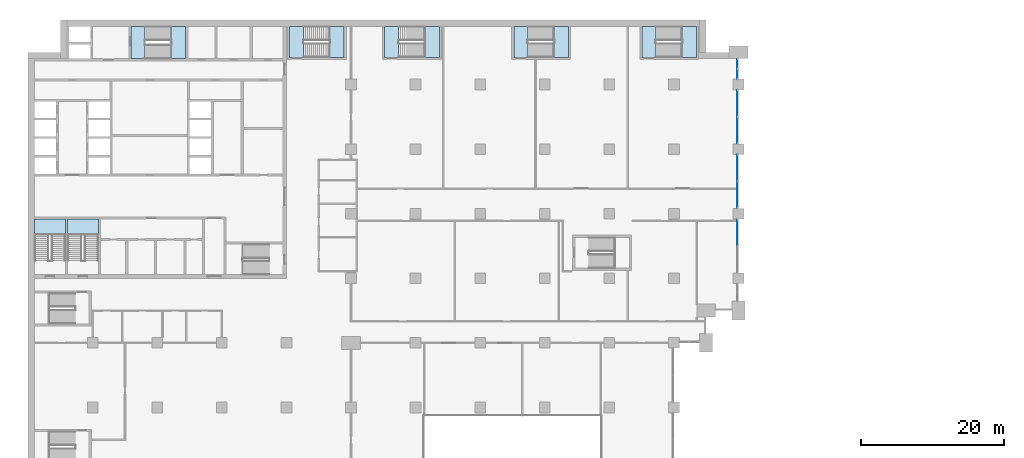
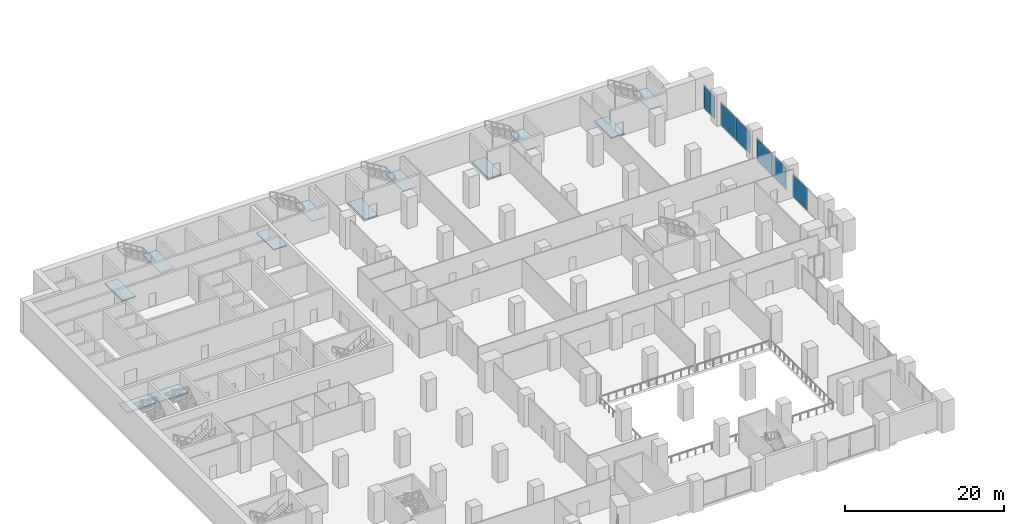
# One storey, part 11 of 32: 12 slabs, 7 plates, 11 elements without a shape of their own.
"""IFC4 building model written with IfcOpenShell, lengths in metres."""

import ifcopenshell
import ifcopenshell.guid

model = None  # the IFC model being written
_history = None  # IfcOwnerHistory: only IFC2X3 demands one
_inside = {}  # id of a spatial element -> (the spatial element, [elements in it])
_under = {}  # id of a project, library or spatial element -> (it, [spatial elements below it])
_declared = {}  # id of a project -> (the project, [libraries it declares])
_typed = {}  # id of a type object -> (the type object, [elements of that type])
_made_of = {}  # id of a material, layer set ... -> (it, [elements and type objects made of it])


def new_model(schema):
    """Start an empty IFC model of exactly this schema.

    Asked for "IFC4X3", IfcOpenShell would pick the latest addendum, in which some entities
    have other attributes; the version numbers below select the first issue.
    IFC2X3 requires an IfcOwnerHistory on every rooted entity: one is made here for all.
    """
    global model, _history
    if schema == "IFC4X3":
        model = ifcopenshell.file(schema_version=(4, 3, 0, 0))
    else:
        model = ifcopenshell.file(schema=schema)
    _inside.clear()
    _under.clear()
    _declared.clear()
    _typed.clear()
    _made_of.clear()
    _history = None
    if model.schema == "IFC2X3":
        org = make("IfcOrganization", Name="unknown")
        user = make(
            "IfcPersonAndOrganization",
            ThePerson=make("IfcPerson", FamilyName="unknown"),
            TheOrganization=org,
        )
        app = make(
            "IfcApplication",
            ApplicationDeveloper=org,
            Version="unknown",
            ApplicationFullName="unknown",
            ApplicationIdentifier="unknown",
        )
        _history = make(
            "IfcOwnerHistory",
            OwningUser=user,
            OwningApplication=app,
            ChangeAction="ADDED",
            CreationDate=0,
        )
    return model


def make(cls, **values):
    """One entity of the class cls with the attributes given. An attribute that is None is left unset."""
    return model.create_entity(
        cls, **{name: value for name, value in values.items() if value is not None}
    )


def rooted(cls, **values):
    """An entity with a GlobalId (a new one), such as an element, a storey or a relation."""
    return make(cls, GlobalId=ifcopenshell.guid.new(), OwnerHistory=_history, **values)


def si_unit(unit_type, name, prefix=None):
    """IfcSIUnit, for example si_unit("LENGTHUNIT", "METRE", prefix="MILLI")."""
    return make("IfcSIUnit", UnitType=unit_type, Prefix=prefix, Name=name)


def assignment(units):
    """IfcUnitAssignment: the units of a project."""
    return None if units is None else make("IfcUnitAssignment", Units=units)


def point(xyz):
    """IfcCartesianPoint."""
    return None if xyz is None else make("IfcCartesianPoint", Coordinates=xyz)


def direction(xyz):
    """IfcDirection."""
    return None if xyz is None else make("IfcDirection", DirectionRatios=xyz)


def frame(location, z_axis=None, x_axis=None):
    """IfcAxis2Placement3D, a coordinate frame: its origin and axes. An axis left out is left unset."""
    return make(
        "IfcAxis2Placement3D",
        Location=point(location),
        Axis=direction(z_axis),
        RefDirection=direction(x_axis),
    )


def frame_2d(location, x_axis=None):
    """IfcAxis2Placement2D, a coordinate frame in the plane: its origin and x axis."""
    return make(
        "IfcAxis2Placement2D", Location=point(location), RefDirection=direction(x_axis)
    )


def origin():
    """The frame at (0, 0, 0) with its axes left unset."""
    return frame((0.0, 0.0, 0.0))


def origin_2d():
    """The frame at (0, 0) in the plane with its x axis left unset."""
    return frame_2d((0.0, 0.0))


def place(relative_to, where):
    """IfcLocalPlacement: puts the frame where relative to a parent placement (None: the world)."""
    return make(
        "IfcLocalPlacement", PlacementRelTo=relative_to, RelativePlacement=where
    )


def context(
    kind, dimensions, precision=None, world=None, true_north=None, identifier=None
):
    """IfcGeometricRepresentationContext, for example the 3D "Model" context."""
    return make(
        "IfcGeometricRepresentationContext",
        ContextIdentifier=identifier,
        ContextType=kind,
        CoordinateSpaceDimension=dimensions,
        Precision=precision,
        WorldCoordinateSystem=world,
        TrueNorth=true_north,
    )


def subcontext(parent, identifier, kind, view, scale=None):
    """IfcGeometricRepresentationSubContext, for example "Body" below "Model"."""
    return make(
        "IfcGeometricRepresentationSubContext",
        ContextIdentifier=identifier,
        ContextType=kind,
        ParentContext=parent,
        TargetScale=scale,
        TargetView=view,
    )


def project(units=None, contexts=None):
    """IfcProject with its units and contexts."""
    return rooted(
        "IfcProject",
        Name="project",
        RepresentationContexts=contexts,
        UnitsInContext=assignment(units),
    )


def spatial(cls, under=None, at=None, **own):
    """A site, building, storey or space (cls), placed at a placement, below another one or the project."""
    s = rooted(cls, ObjectPlacement=at, **own)
    if under is not None:
        _under.setdefault(under.id(), (under, []))[1].append(s)
    return s


def polyline(points):
    """IfcPolyline through the points."""
    return make("IfcPolyline", Points=[point(p) for p in points])


def profile(cls, at=None, kind="AREA", **sizes):
    """A parametric profile (cls). Its sizes go by their IFC names, for example OverallWidth=200.0."""
    return make(cls, ProfileType=kind, Position=at, **sizes)


def rectangle(**sizes):
    """IfcRectangleProfileDef."""
    return profile("IfcRectangleProfileDef", **sizes)


def outline(outer, holes=None, kind="AREA"):
    """IfcArbitraryClosedProfileDef: a profile drawn as a closed curve; with holes, ...WithVoids."""
    if holes is None:
        return make("IfcArbitraryClosedProfileDef", ProfileType=kind, OuterCurve=outer)
    return make(
        "IfcArbitraryProfileDefWithVoids",
        ProfileType=kind,
        OuterCurve=outer,
        InnerCurves=holes,
    )


def extrude(swept, where, along, depth):
    """IfcExtrudedAreaSolid: the profile swept, set in the frame where, extruded along a direction by depth."""
    return make(
        "IfcExtrudedAreaSolid",
        SweptArea=swept,
        Position=where,
        ExtrudedDirection=direction(along),
        Depth=depth,
    )


def shape(context_of_items, identifier, shape_type, items):
    """IfcShapeRepresentation: the items that make up one representation, for example the "Body"."""
    return make(
        "IfcShapeRepresentation",
        ContextOfItems=context_of_items,
        RepresentationIdentifier=identifier,
        RepresentationType=shape_type,
        Items=items,
    )


def material(Name=None, Category=None):
    """IfcMaterial."""
    return make("IfcMaterial", Name=Name, Category=Category)


def layer(
    of_material, thickness, ventilated=None, Name=None, Category=None, Priority=None
):
    """IfcMaterialLayer: one layer of a wall or slab, of a material (None: an air gap)."""
    return make(
        "IfcMaterialLayer",
        Material=of_material,
        LayerThickness=thickness,
        IsVentilated=ventilated,
        Name=Name,
        Category=Category,
        Priority=Priority,
    )


def layer_set(layers, Name=None):
    """IfcMaterialLayerSet."""
    return make("IfcMaterialLayerSet", MaterialLayers=layers, LayerSetName=Name)


def made_of(thing, what):
    """Note that an element or type object is made of a material, layer set ...; save() writes the relation."""
    if what is not None:
        _made_of.setdefault(what.id(), (what, []))[1].append(thing)
    return thing


def type_object(cls, material=None, **own):
    """A type object (cls), such as IfcWallType, which elements share."""
    return made_of(rooted(cls, **own), material)


def element(
    cls,
    number,
    at=None,
    inside=None,
    cuts=None,
    type_object=None,
    material=None,
    context=None,
    identifier="Body",
    shape_type=None,
    held_by="IfcProductDefinitionShape",
    body=None,
    shapes=None,
    **own,
):
    """One element of the class cls, such as IfcWall. Its Tag is "e" and its number.

    at: its placement. inside: the storey or other place that contains it. cuts: it is an
    opening in that element (IfcRelVoidsElement). A single representation is given by context,
    identifier, shape_type and body (its items); several are given by shapes. held_by: the class
    of the entity that holds the representations. save() writes the other relations.
    """
    e = rooted(cls, Tag="e%d" % number, ObjectPlacement=at, **own)
    if body is not None:
        shapes = [shape(context, identifier, shape_type, body)]
    if shapes is not None:
        e.Representation = make(held_by, Representations=shapes)
    if inside is not None:
        _inside.setdefault(inside.id(), (inside, []))[1].append(e)
    if cuts is not None:
        rooted(
            "IfcRelVoidsElement", RelatingBuildingElement=cuts, RelatedOpeningElement=e
        )
    if type_object is not None:
        _typed.setdefault(type_object.id(), (type_object, []))[1].append(e)
    return made_of(e, material)


def aggregate(whole, parts):
    """IfcRelAggregates: a whole, such as a stair, and the parts it consists of."""
    return rooted("IfcRelAggregates", RelatingObject=whole, RelatedObjects=parts)


def save(model, path):
    """Write the relations noted so far, then the file.

    IfcRelAggregates (storeys below a building ...), IfcRelContainedInSpatialStructure (elements
    in a storey), IfcRelDefinesByType, IfcRelAssociatesMaterial and IfcRelDeclares: one each for
    every whole, place, type object, material and project.
    """
    for whole, parts in _under.values():
        aggregate(whole, parts)
    for where, things in _inside.values():
        rooted(
            "IfcRelContainedInSpatialStructure",
            RelatedElements=things,
            RelatingStructure=where,
        )
    for kind, things in _typed.values():
        rooted("IfcRelDefinesByType", RelatedObjects=things, RelatingType=kind)
    for what, things in _made_of.values():
        rooted("IfcRelAssociatesMaterial", RelatedObjects=things, RelatingMaterial=what)
    for by, libraries in _declared.values():
        rooted("IfcRelDeclares", RelatingContext=by, RelatedDefinitions=libraries)
    model.write(path)


model = new_model("IFC4")

# Units and contexts
model_context = context("Model", 3, precision=1e-05, world=origin(), true_north=direction((0.0, 1.0)))
body_context = subcontext(model_context, "Body", "Model", "MODEL_VIEW")
ifc_project = project(units=[si_unit("LENGTHUNIT", "METRE"), si_unit("AREAUNIT", "SQUARE_METRE"), si_unit("VOLUMEUNIT", "CUBIC_METRE"), si_unit("PLANEANGLEUNIT", "RADIAN"), si_unit("MASSUNIT", "GRAM", prefix="KILO")], contexts=[model_context])

# Site, building, storey
site_placement = place(None, origin())
site = spatial("IfcSite", under=ifc_project, at=site_placement, CompositionType="ELEMENT")
building_placement = place(site_placement, origin())
building = spatial("IfcBuilding", under=site, at=building_placement, Name="Hunhe Ridgeline Campus", CompositionType="ELEMENT")
storey_placement = place(building_placement, frame((0.0, 0.0, 26.39990234375)))
storey = spatial("IfcBuildingStorey", under=building, at=storey_placement, Name="L05", CompositionType="ELEMENT", Elevation=26.39990234375)

# Curtain wall, plate
ifc_material_1 = material(Name="Aluminium and glass", Category="aluminium")
curtain_wall_type = type_object("IfcCurtainWallType", Name="Podium curtain wall CW-2", PredefinedType="NOTDEFINED", material=ifc_material_1)
curtain_wall_1_placement = place(storey_placement, origin())
curtain_wall_1 = element("IfcCurtainWall", 1, at=curtain_wall_1_placement, inside=storey, type_object=curtain_wall_type, Name="L05 podium curtain wall 5", PredefinedType="NOTDEFINED")
ifc_material_2 = material(Name="Clear glass", Category="glass")
ifc_layer_1 = layer(ifc_material_2, 0.028076171875)
ifc_layer_set_1 = layer_set([ifc_layer_1], Name="CW-2 clear glass panel 28")
plate_type = type_object("IfcPlateType", Name="CW-2 clear glass panel 28", PredefinedType="CURTAIN_PANEL", material=ifc_layer_set_1)
plate_1_placement = place(storey_placement, frame((98.85009765625, 69.360107421875, 0.06005859375), z_axis=(0.0, 0.0, 1.0), x_axis=(0.0, 1.0, 0.0)))
plate_1 = element("IfcPlate", 2, at=plate_1_placement, type_object=plate_type, Name="CW2 panel 2.1", PredefinedType="CURTAIN_PANEL", context=body_context, shape_type="SweptSolid", body=[
    extrude(rectangle(XDim=3.659912109375, YDim=0.028076171875, at=origin_2d()), origin(), (0.0, 0.0, 1.0), 3.429931640625),
])
aggregate(curtain_wall_1, [plate_1])

# Curtain wall, plates
curtain_wall_2_placement = place(storey_placement, origin())
curtain_wall_2 = element("IfcCurtainWall", 3, at=curtain_wall_2_placement, inside=storey, type_object=curtain_wall_type, Name="L05 podium curtain wall 6", PredefinedType="NOTDEFINED")
plate_2_placement = place(storey_placement, frame((98.85009765625, 74.639892578125, 0.06005859375), z_axis=(0.0, 0.0, 1.0), x_axis=(0.0, 1.0, 0.0)))
plate_2 = element("IfcPlate", 4, at=plate_2_placement, type_object=plate_type, Name="CW2 panel 1.1", PredefinedType="CURTAIN_PANEL", context=body_context, shape_type="SweptSolid", body=[
    extrude(rectangle(XDim=3.659912109375, YDim=0.028076171875, at=origin_2d()), origin(), (0.0, 0.0, 1.0), 3.429931640625),
])
plate_3_placement = place(storey_placement, frame((98.85009765625, 78.360107421875, 0.06005859375), z_axis=(0.0, 0.0, 1.0), x_axis=(0.0, 1.0, 0.0)))
plate_3 = element("IfcPlate", 5, at=plate_3_placement, type_object=plate_type, Name="CW2 panel 2.1", PredefinedType="CURTAIN_PANEL", context=body_context, shape_type="SweptSolid", body=[
    extrude(rectangle(XDim=3.659912109375, YDim=0.028076171875, at=origin_2d()), origin(), (0.0, 0.0, 1.0), 3.429931640625),
])
aggregate(curtain_wall_2, [plate_2, plate_3])

curtain_wall_3_placement = place(storey_placement, origin())
curtain_wall_3 = element("IfcCurtainWall", 6, at=curtain_wall_3_placement, inside=storey, type_object=curtain_wall_type, Name="L05 podium curtain wall 7", PredefinedType="NOTDEFINED")
plate_4_placement = place(storey_placement, frame((98.85009765625, 83.639892578125, 0.06005859375), z_axis=(0.0, 0.0, 1.0), x_axis=(0.0, 1.0, 0.0)))
plate_4 = element("IfcPlate", 7, at=plate_4_placement, type_object=plate_type, Name="CW2 panel 1.1", PredefinedType="CURTAIN_PANEL", context=body_context, shape_type="SweptSolid", body=[
    extrude(rectangle(XDim=3.659912109375, YDim=0.028076171875, at=origin_2d()), origin(), (0.0, 0.0, 1.0), 3.429931640625),
])
plate_5_placement = place(storey_placement, frame((98.85009765625, 87.360107421875, 0.06005859375), z_axis=(0.0, 0.0, 1.0), x_axis=(0.0, 1.0, 0.0)))
plate_5 = element("IfcPlate", 8, at=plate_5_placement, type_object=plate_type, Name="CW2 panel 2.1", PredefinedType="CURTAIN_PANEL", context=body_context, shape_type="SweptSolid", body=[
    extrude(rectangle(XDim=3.659912109375, YDim=0.028076171875, at=origin_2d()), origin(), (0.0, 0.0, 1.0), 3.429931640625),
])
aggregate(curtain_wall_3, [plate_4, plate_5])

curtain_wall_4_placement = place(storey_placement, origin())
curtain_wall_4 = element("IfcCurtainWall", 9, at=curtain_wall_4_placement, inside=storey, type_object=curtain_wall_type, Name="L05 podium curtain wall 8", PredefinedType="NOTDEFINED")
plate_6_placement = place(storey_placement, frame((98.85009765625, 91.4775390625, 0.06005859375), z_axis=(0.0, 0.0, 1.0), x_axis=(0.0, 1.0, 0.0)))
plate_6 = element("IfcPlate", 10, at=plate_6_placement, type_object=plate_type, Name="CW2 panel 1.1", PredefinedType="CURTAIN_PANEL", context=body_context, shape_type="SweptSolid", body=[
    extrude(rectangle(XDim=1.3349609375, YDim=0.028076171875, at=origin_2d()), origin(), (0.0, 0.0, 1.0), 3.429931640625),
])
plate_7_placement = place(storey_placement, frame((98.85009765625, 92.87255859375, 0.06005859375), z_axis=(0.0, 0.0, 1.0), x_axis=(0.0, 1.0, 0.0)))
plate_7 = element("IfcPlate", 11, at=plate_7_placement, type_object=plate_type, Name="CW2 panel 2.1", PredefinedType="CURTAIN_PANEL", context=body_context, shape_type="SweptSolid", body=[
    extrude(rectangle(XDim=1.3349609375, YDim=0.028076171875, at=origin_2d()), origin(), (0.0, 0.0, 1.0), 3.429931640625),
])
aggregate(curtain_wall_4, [plate_6, plate_7])

# Stair, slab
ifc_material_3 = material(Name="Concrete C40", Category="concrete")
stair_type = type_object("IfcStairType", Name="Reinforced concrete dog-leg stair 1950 Concrete C40", PredefinedType="HALF_TURN_STAIR", material=ifc_material_3)
stair_1_placement = place(storey_placement, origin())
stair_1 = element("IfcStair", 12, at=stair_1_placement, inside=storey, type_object=stair_type, Name="L05 S1", PredefinedType="HALF_TURN_STAIR")
ifc_layer_2 = layer(ifc_material_3, 0.199951171875)
ifc_layer_set_2 = layer_set([ifc_layer_2], Name="Reinforced concrete stair landing 200 Concrete C40")
slab_type = type_object("IfcSlabType", Name="Reinforced concrete stair landing 200 Concrete C40", PredefinedType="LANDING", material=ifc_layer_set_2)
slab_1_placement = place(storey_placement, frame((0.0, 0.0, 2.2001953125)))
slab_1 = element("IfcSlab", 13, at=slab_1_placement, type_object=slab_type, Name="ST1 landing 1", PredefinedType="LANDING", context=body_context, shape_type="SweptSolid", body=[
    extrude(outline(polyline([(19.93994140625, 93.60009765625), (21.949951171875, 93.60009765625), (21.949951171875, 98.10009765625), (19.93994140625, 98.10009765625), (19.93994140625, 93.60009765625)])), origin(), (0.0, 0.0, 1.0), 0.199951171875),
])
aggregate(stair_1, [slab_1])

# Slab
slab_2_placement = place(storey_placement, frame((0.0, 0.0, -0.199951171875)))
element("IfcSlab", 14, at=slab_2_placement, inside=storey, type_object=slab_type, Name="L05 stair S1 floor landing", PredefinedType="LANDING", context=body_context, shape_type="SweptSolid", body=[
    extrude(outline(polyline([(14.35009765625, 93.60009765625), (16.300048828125, 93.60009765625), (16.300048828125, 98.10009765625), (14.35009765625, 98.10009765625), (14.35009765625, 93.60009765625)])), origin(), (0.0, 0.0, 1.0), 0.199951171875),
])

# Stair, slab
stair_2_placement = place(storey_placement, origin())
stair_2 = element("IfcStair", 15, at=stair_2_placement, inside=storey, type_object=stair_type, Name="L05 S3", PredefinedType="HALF_TURN_STAIR")
slab_3_placement = place(storey_placement, frame((0.0, 0.0, 2.2001953125)))
slab_3 = element("IfcSlab", 16, at=slab_3_placement, type_object=slab_type, Name="ST3 landing 1", PredefinedType="LANDING", context=body_context, shape_type="SweptSolid", body=[
    extrude(outline(polyline([(5.199951171875, 69.090087890625), (5.199951171875, 71.25), (0.89990234375, 71.25), (0.89990234375, 69.090087890625), (5.199951171875, 69.090087890625)])), origin(), (0.0, 0.0, 1.0), 0.199951171875),
])
aggregate(stair_2, [slab_3])

stair_3_placement = place(storey_placement, origin())
stair_3 = element("IfcStair", 17, at=stair_3_placement, inside=storey, type_object=stair_type, Name="L05 S4", PredefinedType="HALF_TURN_STAIR")
slab_4_placement = place(storey_placement, frame((0.0, 0.0, 2.2001953125)))
slab_4 = element("IfcSlab", 18, at=slab_4_placement, type_object=slab_type, Name="ST4 landing 1", PredefinedType="LANDING", context=body_context, shape_type="SweptSolid", body=[
    extrude(outline(polyline([(9.800048828125, 69.090087890625), (9.800048828125, 71.25), (5.5, 71.25), (5.5, 69.090087890625), (9.800048828125, 69.090087890625)])), origin(), (0.0, 0.0, 1.0), 0.199951171875),
])
aggregate(stair_3, [slab_4])

stair_4_placement = place(storey_placement, origin())
stair_4 = element("IfcStair", 19, at=stair_4_placement, inside=storey, type_object=stair_type, Name="L05 E1", PredefinedType="HALF_TURN_STAIR")
slab_5_placement = place(storey_placement, frame((0.0, 0.0, 2.2001953125)))
slab_5 = element("IfcSlab", 20, at=slab_5_placement, type_object=slab_type, Name="ST5 landing 1", PredefinedType="LANDING", context=body_context, shape_type="SweptSolid", body=[
    extrude(outline(polyline([(42.0400390625, 93.800048828125), (44.050048828125, 93.800048828125), (44.050048828125, 98.10009765625), (42.0400390625, 98.10009765625), (42.0400390625, 93.800048828125)])), origin(), (0.0, 0.0, 1.0), 0.199951171875),
])
aggregate(stair_4, [slab_5])

# Slab
slab_6_placement = place(storey_placement, frame((0.0, 0.0, -0.199951171875)))
element("IfcSlab", 21, at=slab_6_placement, inside=storey, type_object=slab_type, Name="L05 stair E1 floor landing", PredefinedType="LANDING", context=body_context, shape_type="SweptSolid", body=[
    extrude(outline(polyline([(36.449951171875, 93.800048828125), (38.39990234375, 93.800048828125), (38.39990234375, 98.10009765625), (36.449951171875, 98.10009765625), (36.449951171875, 93.800048828125)])), origin(), (0.0, 0.0, 1.0), 0.199951171875),
])

# Stair, slab
stair_5_placement = place(storey_placement, origin())
stair_5 = element("IfcStair", 22, at=stair_5_placement, inside=storey, type_object=stair_type, Name="L05 E2", PredefinedType="HALF_TURN_STAIR")
slab_7_placement = place(storey_placement, frame((0.0, 0.0, 2.2001953125)))
slab_7 = element("IfcSlab", 23, at=slab_7_placement, type_object=slab_type, Name="ST6 landing 1", PredefinedType="LANDING", context=body_context, shape_type="SweptSolid", body=[
    extrude(outline(polyline([(55.2900390625, 93.800048828125), (57.300048828125, 93.800048828125), (57.300048828125, 98.10009765625), (55.2900390625, 98.10009765625), (55.2900390625, 93.800048828125)])), origin(), (0.0, 0.0, 1.0), 0.199951171875),
])
aggregate(stair_5, [slab_7])

# Slab
slab_8_placement = place(storey_placement, frame((0.0, 0.0, -0.199951171875)))
element("IfcSlab", 24, at=slab_8_placement, inside=storey, type_object=slab_type, Name="L05 stair E2 floor landing", PredefinedType="LANDING", context=body_context, shape_type="SweptSolid", body=[
    extrude(outline(polyline([(49.699951171875, 93.800048828125), (51.64990234375, 93.800048828125), (51.64990234375, 98.10009765625), (49.699951171875, 98.10009765625), (49.699951171875, 93.800048828125)])), origin(), (0.0, 0.0, 1.0), 0.199951171875),
])

# Stair, slab
stair_6_placement = place(storey_placement, origin())
stair_6 = element("IfcStair", 25, at=stair_6_placement, inside=storey, type_object=stair_type, Name="L05 E3", PredefinedType="HALF_TURN_STAIR")
slab_9_placement = place(storey_placement, frame((0.0, 0.0, 2.2001953125)))
slab_9 = element("IfcSlab", 26, at=slab_9_placement, type_object=slab_type, Name="ST7 landing 1", PredefinedType="LANDING", context=body_context, shape_type="SweptSolid", body=[
    extrude(outline(polyline([(73.2900390625, 93.800048828125), (75.300048828125, 93.800048828125), (75.300048828125, 98.10009765625), (73.2900390625, 98.10009765625), (73.2900390625, 93.800048828125)])), origin(), (0.0, 0.0, 1.0), 0.199951171875),
])
aggregate(stair_6, [slab_9])

# Slab
slab_10_placement = place(storey_placement, frame((0.0, 0.0, -0.199951171875)))
element("IfcSlab", 27, at=slab_10_placement, inside=storey, type_object=slab_type, Name="L05 stair E3 floor landing", PredefinedType="LANDING", context=body_context, shape_type="SweptSolid", body=[
    extrude(outline(polyline([(67.699951171875, 93.800048828125), (69.64990234375, 93.800048828125), (69.64990234375, 98.10009765625), (67.699951171875, 98.10009765625), (67.699951171875, 93.800048828125)])), origin(), (0.0, 0.0, 1.0), 0.199951171875),
])

# Stair, slab
stair_7_placement = place(storey_placement, origin())
stair_7 = element("IfcStair", 28, at=stair_7_placement, inside=storey, type_object=stair_type, Name="L05 E4", PredefinedType="HALF_TURN_STAIR")
slab_11_placement = place(storey_placement, frame((0.0, 0.0, 2.2001953125)))
slab_11 = element("IfcSlab", 29, at=slab_11_placement, type_object=slab_type, Name="ST8 landing 1", PredefinedType="LANDING", context=body_context, shape_type="SweptSolid", body=[
    extrude(outline(polyline([(91.139892578125, 93.800048828125), (93.14990234375, 93.800048828125), (93.14990234375, 98.10009765625), (91.139892578125, 98.10009765625), (91.139892578125, 93.800048828125)])), origin(), (0.0, 0.0, 1.0), 0.199951171875),
])
aggregate(stair_7, [slab_11])

# Slab
slab_12_placement = place(storey_placement, frame((0.0, 0.0, -0.199951171875)))
element("IfcSlab", 30, at=slab_12_placement, inside=storey, type_object=slab_type, Name="L05 stair E4 floor landing", PredefinedType="LANDING", context=body_context, shape_type="SweptSolid", body=[
    extrude(outline(polyline([(85.550048828125, 93.800048828125), (87.5, 93.800048828125), (87.5, 98.10009765625), (85.550048828125, 98.10009765625), (85.550048828125, 93.800048828125)])), origin(), (0.0, 0.0, 1.0), 0.199951171875),
])

save(model, "model.ifc")
